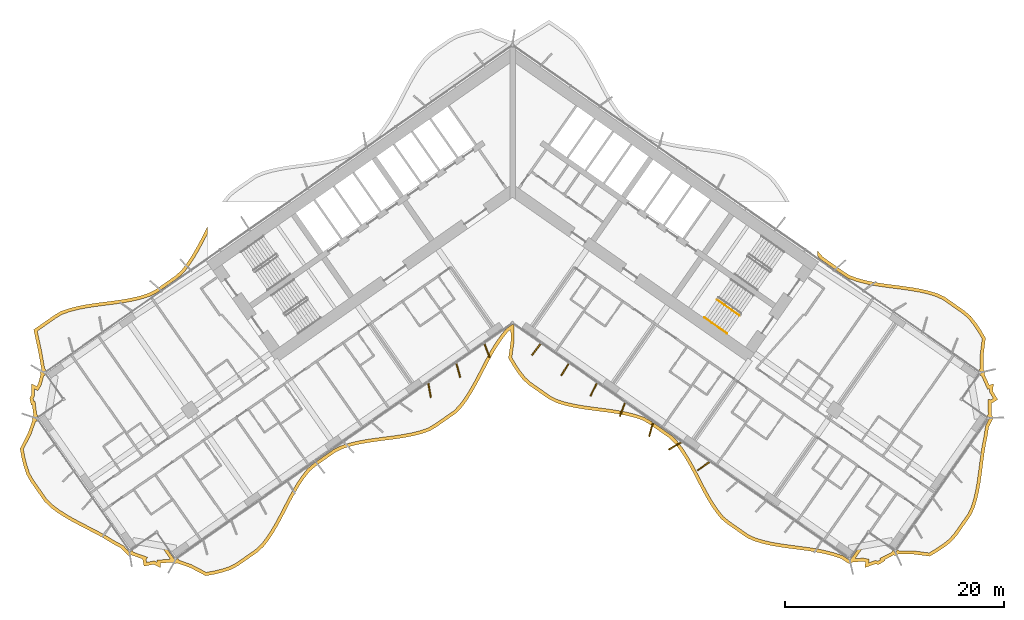
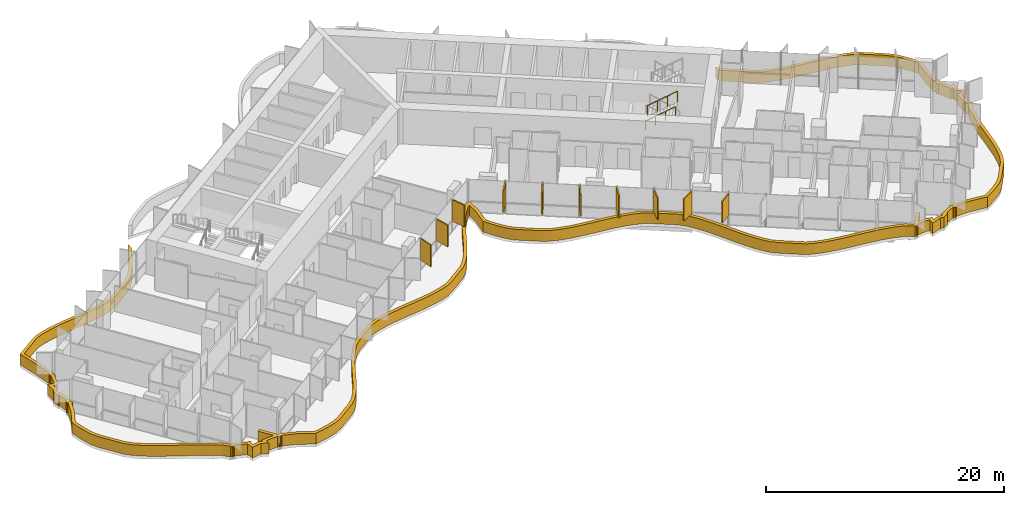
# One storey, part 22 of 25: 11 shading devices, 2 railings.
"""IFC4 building model written with IfcOpenShell, lengths in metres."""

from ifc_helpers import new_model, si_unit, direction, frame, origin, origin_2d, place, context, subcontext, project, spatial, polyline, rectangle, circle, outline, extrude, material, layer, layer_set, type_object, element, save


model = new_model("IFC4")

# Units and contexts
model_context = context("Model", 3, precision=1e-05, world=origin(), true_north=direction((0.0, 1.0)))
body_context = subcontext(model_context, "Body", "Model", "MODEL_VIEW")
ifc_project = project(units=[si_unit("LENGTHUNIT", "METRE"), si_unit("AREAUNIT", "SQUARE_METRE"), si_unit("VOLUMEUNIT", "CUBIC_METRE"), si_unit("PLANEANGLEUNIT", "RADIAN"), si_unit("MASSUNIT", "GRAM", prefix="KILO")], contexts=[model_context])

# Site, building, storey
site_placement = place(None, origin())
site = spatial("IfcSite", under=ifc_project, at=site_placement, CompositionType="ELEMENT")
building_placement = place(site_placement, origin())
building = spatial("IfcBuilding", under=site, at=building_placement, Name="Tel Ilan Convention Tower", CompositionType="ELEMENT")
storey_placement = place(building_placement, frame((0.0, 0.0, 54.5)))
storey = spatial("IfcBuildingStorey", under=building, at=storey_placement, Name="L08", CompositionType="ELEMENT", Elevation=54.5)

# Shading devices
ifc_material_1 = material(Name="Aluminium, bronze anodised", Category="aluminium")
ifc_layer_1 = layer(ifc_material_1, 0.1201171875)
ifc_layer_set_1 = layer_set([ifc_layer_1], Name="FIN BRONZE 1300x120")
shading_device_type_1 = type_object("IfcShadingDeviceType", Name="FIN BRONZE 1300x120", PredefinedType="USERDEFINED", material=ifc_layer_set_1)
for number, where, z_axis, x_axis, name in (
    (1, (-7.582763671875, -18.877197265625, 1.10009765625), (0.0, 0.0, 1.0), (0.173648177667, -0.984807753012, 0.0), "FIN"),
    (2, (-4.954345703125, -17.059326171875, 1.10009765625), (0.0, 0.0, 1.0), (0.268172612768, -0.963370878614, 0.0), "FIN"),
    (3, (-2.327880859375, -15.2353515625, 1.10009765625), (0.0, 0.0, 1.0), (0.360177724803, -0.932883704733, 0.0), "FIN"),
    (4, (2.17041015625, -15.13330078125, 1.10009765625), (0.0, 0.0, 1.0), (-0.612600545196, -0.790392669516, 0.0), "FIN"),
    (5, (4.7919921875, -16.968994140625, 1.10009765625), (0.0, 0.0, 1.0), (-0.533204432798, -0.845986425922, 0.0), "FIN"),
    (6, (7.413330078125, -18.80419921875, 1.10009765625), (0.0, 0.0, 1.0), (-0.448799180206, -0.893632640321, 0.0), "FIN"),
    (7, (10.03759765625, -20.6337890625, 1.10009765625), (0.0, 0.0, 1.0), (-0.360177724803, -0.932883704733, 0.0), "FIN"),
    (8, (12.664306640625, -22.457763671875, 1.10009765625), (0.0, 0.0, 1.0), (-0.268172612768, -0.963370878614, 0.0), "FIN"),
    (9, (14.842529296875, -23.96044921875, 1.10009765625), (0.0, 0.0, 1.0), (-0.866025403784, -0.5, 0.0), "FIN"),
    (10, (17.44970703125, -25.80859375, 1.10009765625), (0.0, 0.0, 1.0), (-0.813552070258, -0.581492071294, 0.0), "FIN"),
):
    element("IfcShadingDevice", number, at=place(storey_placement, frame(where, z_axis=z_axis, x_axis=x_axis)), inside=storey, type_object=shading_device_type_1, Name=name, ObjectType="FIN", PredefinedType="USERDEFINED", context=body_context, shape_type="SweptSolid", body=[
        extrude(rectangle(XDim=1.300048828125, YDim=0.1201171875, at=origin_2d()), origin(), (0.0, 0.0, 1.0), 2.219970703125),
    ])
ifc_material_2 = material(Name="Aluminium, bronze anodised", Category="aluminium")
ifc_layer_2 = layer(ifc_material_2, 0.300048828125)
ifc_layer_set_2 = layer_set([ifc_layer_2], Name="LOUVRE BAND 300x1100")
shading_device_type_2 = type_object("IfcShadingDeviceType", Name="LOUVRE BAND 300x1100", PredefinedType="USERDEFINED", material=ifc_layer_set_2)
shading_device_placement = place(storey_placement, origin())
element("IfcShadingDevice", 11, at=shading_device_placement, inside=storey, type_object=shading_device_type_2, Name="LOUVRE BAND 11.01", ObjectType="LOUVRE", PredefinedType="USERDEFINED", context=body_context, shape_type="SweptSolid", body=[
    extrude(outline(polyline([(-44.2939453125, -22.77490234375), (-45.028564453125, -24.204833984375), (-44.876953125, -25.01416015625), (-44.68408203125, -25.794677734375), (-44.4384765625, -26.538330078125), (-44.07080078125, -27.196533203125), (-42.7802734375, -29.03955078125), (-42.232421875, -29.571533203125), (-41.598876953125, -30.04345703125), (-40.91650390625, -30.481201171875), (-40.196533203125, -30.892822265625), (-39.45263671875, -31.287353515625), (-37.949462890625, -32.066162109375), (-37.219970703125, -32.470947265625), (-36.523681640625, -32.89892578125), (-35.783203125, -33.2958984375), (-35.26318359375, -33.847412109375), (-35.258544921875, -33.843994140625), (-35.2294921875, -33.887451171875), (-35.13232421875, -33.952392578125), (-35.017578125, -33.975341796875), (-34.902587890625, -33.952392578125), (-34.8486328125, -33.91650390625), (-33.810546875, -34.284912109375), (-33.821533203125, -34.302734375), (-33.688720703125, -34.9423828125), (-32.80029296875, -34.774658203125), (-32.20068359375, -35.082763671875), (-32.199462890625, -34.66796875), (-31.080322265625, -34.580810546875), (-31.051513671875, -34.624267578125), (-30.9541015625, -34.689208984375), (-30.83935546875, -34.7119140625), (-30.724365234375, -34.689208984375), (-30.67041015625, -34.653076171875), (-29.47802734375, -35.069091796875), (-28.049560546875, -35.822265625), (-27.250732421875, -35.676025390625), (-26.48095703125, -35.488525390625), (-25.74609375, -35.2509765625), (-25.0888671875, -34.90234375), (-23.27490234375, -33.63232421875), (-22.733642578125, -33.117919921875), (-22.262939453125, -32.50341796875), (-21.826416015625, -31.839599609375), (-21.4169921875, -31.13720703125), (-21.026123046875, -30.408935546875), (-20.2607421875, -28.927978515625), (-19.86669921875, -28.20361328125), (-19.45263671875, -27.5078125), (-19.010009765625, -26.85302734375), (-18.53173828125, -26.249267578125), (-17.96875, -25.76611328125), (-16.154541015625, -24.495849609375), (-15.474853515625, -24.1796875), (-14.732666015625, -23.952880859375), (-13.95654296875, -23.774169921875), (-13.154296875, -23.6328125), (-12.334716796875, -23.516357421875), (-10.681640625, -23.30322265625), (-9.86767578125, -23.178466796875), (-9.074951171875, -23.023681640625), (-8.3115234375, -22.8271484375), (-7.584228515625, -22.57861328125), (-6.9482421875, -22.2001953125), (-5.134033203125, -20.929931640625), (-4.616455078125, -20.38232421875), (-4.15283203125, -19.75732421875), (-3.722412109375, -19.0849609375), (-3.3173828125, -18.37646484375), (-2.9287109375, -17.644287109375), (-2.16259765625, -16.16455078125), (-1.765380859375, -15.44482421875), (-1.346435546875, -14.75634765625), (-0.897216796875, -14.110595703125), (-0.422119140625, -13.502197265625), (-0.16796875, -13.31494140625), (-0.15185546875, -14.322021484375), (-0.37109375, -15.922119140625), (0.03955078125, -16.62255859375), (0.47900390625, -17.281982421875), (0.95361328125, -17.89111328125), (1.505859375, -18.389404296875), (3.320068359375, -19.65966796875), (3.98828125, -19.9921875), (4.726806640625, -20.224609375), (5.499755859375, -20.407470703125), (6.2998046875, -20.552001953125), (7.1181640625, -20.67041015625), (8.771484375, -20.883056640625), (9.5869140625, -21.005615234375), (10.38232421875, -21.15673828125), (11.14892578125, -21.3486328125), (11.880126953125, -21.591796875), (12.5263671875, -21.95556640625), (14.340576171875, -23.225830078125), (14.8701171875, -23.75634765625), (15.337158203125, -24.376220703125), (15.770751953125, -25.044189453125), (16.177734375, -25.749755859375), (16.567626953125, -26.480224609375), (17.333251953125, -27.960693359375), (17.728759765625, -28.682861328125), (18.145263671875, -29.375), (18.59130859375, -30.025146484375), (19.073486328125, -30.62353515625), (19.646728515625, -31.091796875), (21.460693359375, -32.362060546875), (22.15234375, -32.6611328125), (22.898193359375, -32.883056640625), (23.67724609375, -33.057373046875), (24.481689453125, -33.19580078125), (25.302490234375, -33.310546875), (26.955078125, -33.5244140625), (27.767333984375, -33.6513671875), (28.5576171875, -33.809814453125), (29.31787109375, -34.010986328125), (30.052001953125, -34.24951171875), (30.667236328125, -34.65771484375), (30.67041015625, -34.653076171875), (30.724365234375, -34.689208984375), (30.83935546875, -34.7119140625), (30.9541015625, -34.689208984375), (31.051513671875, -34.624267578125), (31.080322265625, -34.580810546875), (32.01025390625, -34.49951171875), (32.267822265625, -34.55126953125), (32.20068359375, -35.082763671875), (33.17138671875, -34.73291015625), (33.477294921875, -34.794189453125), (34.032958984375, -34.450927734375), (33.979248046875, -34.3603515625), (34.8486328125, -33.91650390625), (34.902587890625, -33.952392578125), (35.017578125, -33.975341796875), (35.13232421875, -33.952392578125), (35.2294921875, -33.887451171875), (35.258544921875, -33.843994140625), (36.55078125, -33.833251953125), (38.145751953125, -34.034423828125), (38.8544921875, -33.615234375), (39.521728515625, -33.1669921875), (40.13671875, -32.681884765625), (40.62939453125, -32.111328125), (41.919921875, -30.268310546875), (42.232421875, -29.571533203125), (42.45947265625, -28.814697265625), (42.63720703125, -28.023681640625), (42.77783203125, -27.20654296875), (42.89404296875, -26.372314453125), (43.11181640625, -24.693603515625), (43.24267578125, -23.86962890625), (43.40673828125, -23.069091796875), (43.5263671875, -22.2373046875), (43.866943359375, -21.56005859375), (43.8623046875, -21.556884765625), (43.898193359375, -21.5029296875), (43.921142578125, -21.387939453125), (43.898193359375, -21.273193359375), (43.833251953125, -21.17578125), (43.7900390625, -21.14697265625), (43.78125, -20.04541015625), (43.8017578125, -20.049560546875), (44.357177734375, -19.7060546875), (43.89599609375, -18.9287109375), (43.98046875, -18.259765625), (43.590087890625, -18.400634765625), (43.12548828125, -17.378662109375), (43.16162109375, -17.32470703125), (43.184326171875, -17.2099609375), (43.16162109375, -17.094970703125), (43.096435546875, -16.997802734375), (43.05322265625, -16.96875), (43.041259765625, -15.681884765625), (43.245849609375, -14.085693359375), (42.828125, -13.378662109375), (42.38134765625, -12.712646484375), (41.898193359375, -12.098876953125), (41.330810546875, -11.605224609375), (39.492919921875, -10.318359375), (38.80126953125, -10.001953125), (38.0478515625, -9.774169921875), (37.260009765625, -9.595458984375), (36.44580078125, -9.4541015625), (35.614501953125, -9.337646484375), (33.940185546875, -9.120849609375), (33.117919921875, -8.99169921875), (32.318115234375, -8.830078125), (31.54931640625, -8.623779296875), (30.819091796875, -8.36279296875), (30.191162109375, -7.955810546875), (28.35693359375, -6.66357421875), (27.874755859375, -6.095458984375), (27.874755859375, -6.55908203125), (28.15234375, -6.88623046875), (30.0234375, -8.20458984375), (30.68505859375, -8.633544921875), (31.4599609375, -8.910400390625), (32.249267578125, -9.1220703125), (33.064697265625, -9.286865234375), (33.897216796875, -9.417724609375), (35.574951171875, -9.635009765625), (36.3994140625, -9.750732421875), (37.201171875, -9.8896484375), (37.97119140625, -10.064453125), (38.695068359375, -10.283447265625), (39.34326171875, -10.57958984375), (41.145751953125, -11.841796875), (41.679931640625, -12.306640625), (42.138427734375, -12.889404296875), (42.57421875, -13.53857421875), (42.935302734375, -14.149658203125), (42.740966796875, -15.66455078125), (42.75537109375, -16.87109375), (42.638671875, -17.037841796875), (42.88427734375, -17.2099609375), (42.712890625, -17.4560546875), (42.890625, -17.580322265625), (43.430908203125, -18.77685546875), (43.621337890625, -18.7080078125), (43.58544921875, -18.9931640625), (43.948974609375, -19.605712890625), (43.74462890625, -19.732177734375), (43.477294921875, -19.678466796875), (43.4921875, -21.049072265625), (43.37548828125, -21.216064453125), (43.62109375, -21.387939453125), (43.44970703125, -21.63427734375), (43.482421875, -21.656982421875), (43.236328125, -22.146240234375), (43.111083984375, -23.017578125), (42.947265625, -23.816162109375), (42.81494140625, -24.650390625), (42.5966796875, -26.332763671875), (42.481201171875, -27.160400390625), (42.343017578125, -27.96533203125), (42.1689453125, -28.73876953125), (41.95068359375, -29.466552734375), (41.657958984375, -30.11962890625), (40.392333984375, -31.9267578125), (39.928466796875, -32.464111328125), (39.344970703125, -32.92431640625), (38.6943359375, -33.361328125), (38.081298828125, -33.72412109375), (36.56787109375, -33.533203125), (35.3564453125, -33.54638671875), (35.189453125, -33.429443359375), (35.017578125, -33.67529296875), (34.771240234375, -33.50390625), (34.642822265625, -33.6875), (33.5576171875, -34.23779296875), (33.62451171875, -34.3505859375), (33.42041015625, -34.476806640625), (33.1484375, -34.422119140625), (32.559814453125, -34.634521484375), (32.600341796875, -34.31201171875), (32.026611328125, -34.19677734375), (31.310302734375, -34.26220703125), (32.117919921875, -33.109130859375), (31.8720703125, -32.93701171875), (30.83935546875, -34.412109375), (30.593505859375, -34.239990234375), (30.58935546875, -34.24609375), (30.183837890625, -33.976806640625), (29.402587890625, -33.722900390625), (28.62548828125, -33.517333984375), (27.81982421875, -33.35595703125), (26.997802734375, -33.227294921875), (25.342041015625, -33.01318359375), (24.52783203125, -32.8994140625), (23.735595703125, -32.76318359375), (22.973876953125, -32.592529296875), (22.255126953125, -32.378662109375), (21.60791015625, -32.0986328125), (19.827880859375, -30.852294921875), (19.287353515625, -30.410888671875), (18.83203125, -29.845947265625), (18.397705078125, -29.212646484375), (17.989013671875, -28.533203125), (17.597900390625, -27.8193359375), (16.833251953125, -26.3408203125), (16.440185546875, -25.604248046875), (16.026611328125, -24.8876953125), (15.583251953125, -24.2041015625), (15.09716796875, -23.55908203125), (14.5341796875, -22.9951171875), (12.6865234375, -21.701171875), (12.001953125, -21.316162109375), (11.23291015625, -21.060546875), (10.44677734375, -20.863525390625), (9.63720703125, -20.709716796875), (8.81298828125, -20.5859375), (7.15869140625, -20.373046875), (6.347900390625, -20.255859375), (5.56103515625, -20.11376953125), (4.806396484375, -19.93505859375), (4.100830078125, -19.713134765625), (3.4736328125, -19.401123046875), (1.693115234375, -18.154296875), (1.17431640625, -17.68603515625), (0.72265625, -17.106201171875), (0.294189453125, -16.46337890625), (-0.059814453125, -15.85986328125), (0.1484375, -14.340087890625), (0.12548828125, -12.906005859375), (0.0, -12.818115234375), (-0.63330078125, -13.285400390625), (-1.138916015625, -13.9326171875), (-1.597900390625, -14.592529296875), (-2.025146484375, -15.294189453125), (-2.427001953125, -16.022705078125), (-3.19482421875, -17.50537109375), (-3.580078125, -18.231689453125), (-3.979248046875, -18.929443359375), (-4.39990234375, -19.5869140625), (-4.8466796875, -20.189208984375), (-5.3310546875, -20.70166015625), (-7.111083984375, -21.947998046875), (-7.7109375, -22.304931640625), (-8.3974609375, -22.53955078125), (-9.14111328125, -22.73095703125), (-9.919189453125, -22.8828125), (-10.723876953125, -23.006103515625), (-12.374755859375, -23.218994140625), (-13.201416015625, -23.33642578125), (-14.016357421875, -23.47998046875), (-14.810302734375, -23.662841796875), (-15.58251953125, -23.89892578125), (-16.30517578125, -24.235107421875), (-18.15283203125, -25.52880859375), (-18.748779296875, -26.040283203125), (-19.252197265625, -26.675537109375), (-19.7060546875, -27.346923828125), (-20.12744140625, -28.05517578125), (-20.525634765625, -28.787109375), (-21.29150390625, -30.26904296875), (-21.678955078125, -30.99072265625), (-22.08154296875, -31.681640625), (-22.507568359375, -32.32958984375), (-22.95751953125, -32.916748046875), (-23.46533203125, -33.3994140625), (-25.245849609375, -34.64599609375), (-25.86328125, -34.9736328125), (-26.5625, -35.19970703125), (-27.313232421875, -35.38232421875), (-28.00146484375, -35.508544921875), (-29.3583984375, -34.79296875), (-30.477294921875, -34.406005859375), (-30.593505859375, -34.239990234375), (-30.83935546875, -34.412109375), (-31.8720703125, -32.93701171875), (-32.117919921875, -33.109130859375), (-31.28515625, -34.29833984375), (-32.498779296875, -34.3896484375), (-32.499267578125, -34.59228515625), (-32.7548828125, -34.4609375), (-33.454833984375, -34.593017578125), (-33.503662109375, -34.35791015625), (-33.361572265625, -34.124755859375), (-34.655029296875, -33.669921875), (-34.771240234375, -33.50390625), (-35.017578125, -33.67529296875), (-35.189453125, -33.429443359375), (-35.222900390625, -33.452880859375), (-35.598388671875, -33.054443359375), (-36.374267578125, -32.638671875), (-37.068603515625, -32.211669921875), (-37.807373046875, -31.802001953125), (-39.313720703125, -31.021240234375), (-40.052001953125, -30.6298828125), (-40.760986328125, -30.224609375), (-41.42822265625, -29.796630859375), (-42.03759765625, -29.342529296875), (-42.551025390625, -28.84423828125), (-43.81640625, -27.036865234375), (-44.16259765625, -26.4169921875), (-44.3955078125, -25.71142578125), (-44.583740234375, -24.950439453125), (-44.71484375, -24.25048828125), (-44.017822265625, -22.8935546875), (-43.61572265625, -21.75048828125), (-43.44970703125, -21.63427734375), (-43.62109375, -21.387939453125), (-43.37548828125, -21.216064453125), (-43.50439453125, -21.03173828125), (-43.650390625, -19.823974609375), (-43.779296875, -19.84814453125), (-43.828125, -19.613037109375), (-43.683837890625, -19.376220703125), (-43.681884765625, -18.75048828125), (-43.392822265625, -18.89892578125), (-43.088134765625, -18.399169921875), (-42.8681640625, -17.564697265625), (-42.712890625, -17.4560546875), (-42.88427734375, -17.2099609375), (-42.638671875, -17.037841796875), (-42.772705078125, -16.846435546875), (-43.07080078125, -15.1611328125), (-43.445556640625, -13.4521484375), (-41.779296875, -12.285400390625), (-41.1748046875, -11.917724609375), (-40.481201171875, -11.678466796875), (-39.728515625, -11.483642578125), (-38.940185546875, -11.32958984375), (-38.125, -11.204833984375), (-36.4521484375, -10.9892578125), (-35.61474609375, -10.869140625), (-34.790283203125, -10.7216796875), (-33.988037109375, -10.532958984375), (-33.2060546875, -10.2880859375), (-32.48779296875, -9.93017578125), (-30.61474609375, -8.61865234375), (-30.02783203125, -8.073974609375), (-29.527587890625, -7.424560546875), (-29.074462890625, -6.73681640625), (-28.652587890625, -6.013916015625), (-28.2529296875, -5.268798828125), (-27.874755859375, -4.535400390625), (-27.874755859375, -3.883544921875), (-28.518310546875, -5.129150390625), (-28.91455078125, -5.8671875), (-29.329345703125, -6.57861328125), (-29.772216796875, -7.250244140625), (-30.250244140625, -7.87109375), (-30.8037109375, -8.384765625), (-32.6416015625, -9.671630859375), (-33.318603515625, -10.0087890625), (-34.067138671875, -10.243408203125), (-34.85107421875, -10.427734375), (-35.66259765625, -10.572998046875), (-36.4921875, -10.69189453125), (-38.167236328125, -10.90771484375), (-38.99169921875, -11.033935546875), (-39.794921875, -11.19091796875), (-40.56787109375, -11.390869140625), (-41.30322265625, -11.64453125), (-41.943359375, -12.0341796875), (-43.78125, -13.321044921875), (-43.364990234375, -15.219482421875), (-43.05322265625, -16.96875), (-43.096435546875, -16.997802734375), (-43.16162109375, -17.094970703125), (-43.184326171875, -17.2099609375), (-43.16162109375, -17.32470703125), (-43.12548828125, -17.378662109375), (-43.3671875, -18.2802734375), (-43.50390625, -18.504638671875), (-43.98046875, -18.259765625), (-43.9833984375, -19.291748046875), (-44.14599609375, -19.55810546875), (-44.01318359375, -20.197509765625), (-43.90966796875, -20.177978515625), (-43.7900390625, -21.14697265625), (-43.833251953125, -21.17578125), (-43.898193359375, -21.273193359375), (-43.921142578125, -21.387939453125), (-43.898193359375, -21.5029296875), (-43.8623046875, -21.556884765625), (-44.2939453125, -22.77490234375)])), origin(), (0.0, 0.0, 1.0), 1.10009765625),
])

# Railings
ifc_material_3 = material(Name="Stainless Steel Grade 316", Category="steel")
railing_type_1 = type_object("IfcRailingType", Name="Stainless Steel Stair Guard 1100 mm", PredefinedType="GUARDRAIL", material=ifc_material_3)
railing_1_placement = place(storey_placement, frame((18.689208984375, -10.583740234375, 1.97998046875)))
element("IfcRailing", 12, at=railing_1_placement, inside=storey, type_object=railing_type_1, Name="L08 S4 stair guard 3", PredefinedType="GUARDRAIL", context=body_context, shape_type="SweptSolid", body=[
    extrude(circle(Radius=0.02392578125, at=origin_2d()), frame((0.0, 0.0, 1.076171875), z_axis=(0.689055814419, -0.482485747064, 0.540749099395), x_axis=(0.573579365141, 0.81914999352, 0.0)), (0.0, 0.0, 1.0), 2.99609375),
    extrude(circle(Radius=0.02099609375, at=origin_2d()), origin(), (0.0, 0.0, 1.0), 1.052001953125),
    extrude(circle(Radius=0.02099609375, at=origin_2d()), frame((0.688232421875, -0.48193359375, 0.5400390625)), (0.0, 0.0, 1.0), 1.052001953125),
    extrude(circle(Radius=0.02099609375, at=origin_2d()), frame((1.376220703125, -0.963623046875, 1.080078125)), (0.0, 0.0, 1.0), 1.052001953125),
    extrude(circle(Radius=0.02099609375, at=origin_2d()), frame((2.064453125, -1.445556640625, 1.6201171875)), (0.0, 0.0, 1.0), 1.052001953125),
])
ifc_material_4 = material(Name="Stainless Steel Grade 316", Category="steel")
railing_type_2 = type_object("IfcRailingType", Name="Stainless Steel Stair Handrail 900 mm", PredefinedType="HANDRAIL", material=ifc_material_4)
railing_2_placement = place(storey_placement, frame((17.542236328125, -12.22216796875, 1.97998046875)))
element("IfcRailing", 13, at=railing_2_placement, inside=storey, type_object=railing_type_2, Name="L08 S4 stair handrail 2", PredefinedType="HANDRAIL", context=body_context, shape_type="SweptSolid", body=[
    extrude(circle(Radius=0.02392578125, at=origin_2d()), frame((0.0, 0.0, 0.8759765625), z_axis=(0.689040105437, -0.482450316285, 0.54080072616), x_axis=(0.573559875649, 0.819163639968, 0.0)), (0.0, 0.0, 1.0), 2.995849609375),
    extrude(circle(Radius=0.02099609375, at=origin_2d()), origin(), (0.0, 0.0, 1.0), 0.851806640625),
    extrude(circle(Radius=0.02099609375, at=origin_2d()), frame((0.68798828125, -0.481689453125, 0.5400390625)), (0.0, 0.0, 1.0), 0.851806640625),
    extrude(circle(Radius=0.02099609375, at=origin_2d()), frame((1.376220703125, -0.963623046875, 1.080078125)), (0.0, 0.0, 1.0), 0.851806640625),
    extrude(circle(Radius=0.02099609375, at=origin_2d()), frame((2.064208984375, -1.4453125, 1.6201171875)), (0.0, 0.0, 1.0), 0.851806640625),
])

save(model, "model.ifc")
